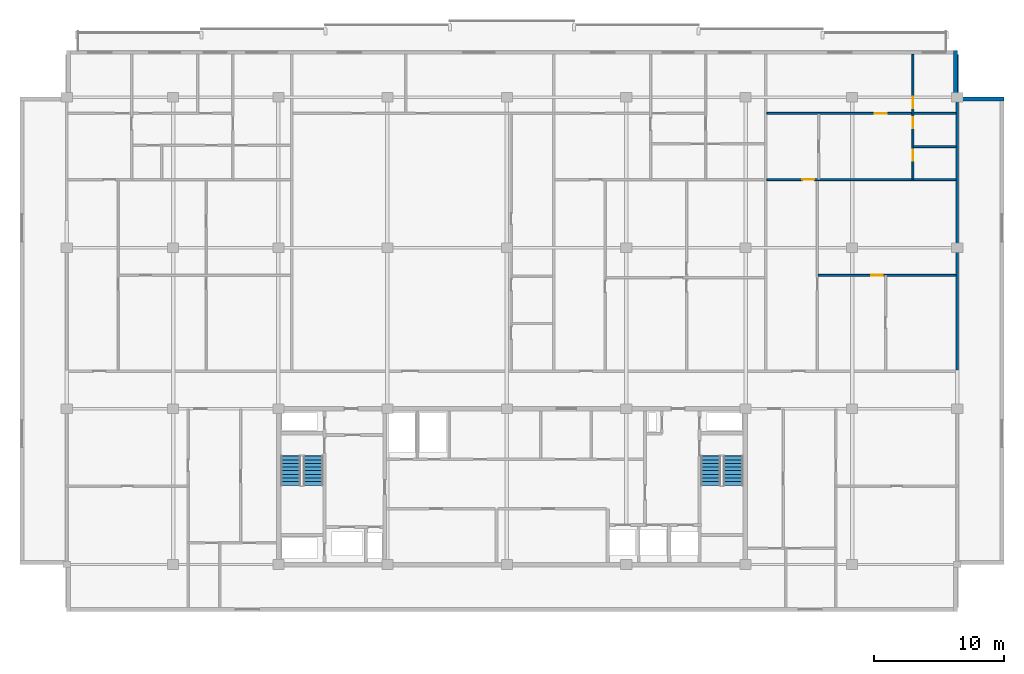
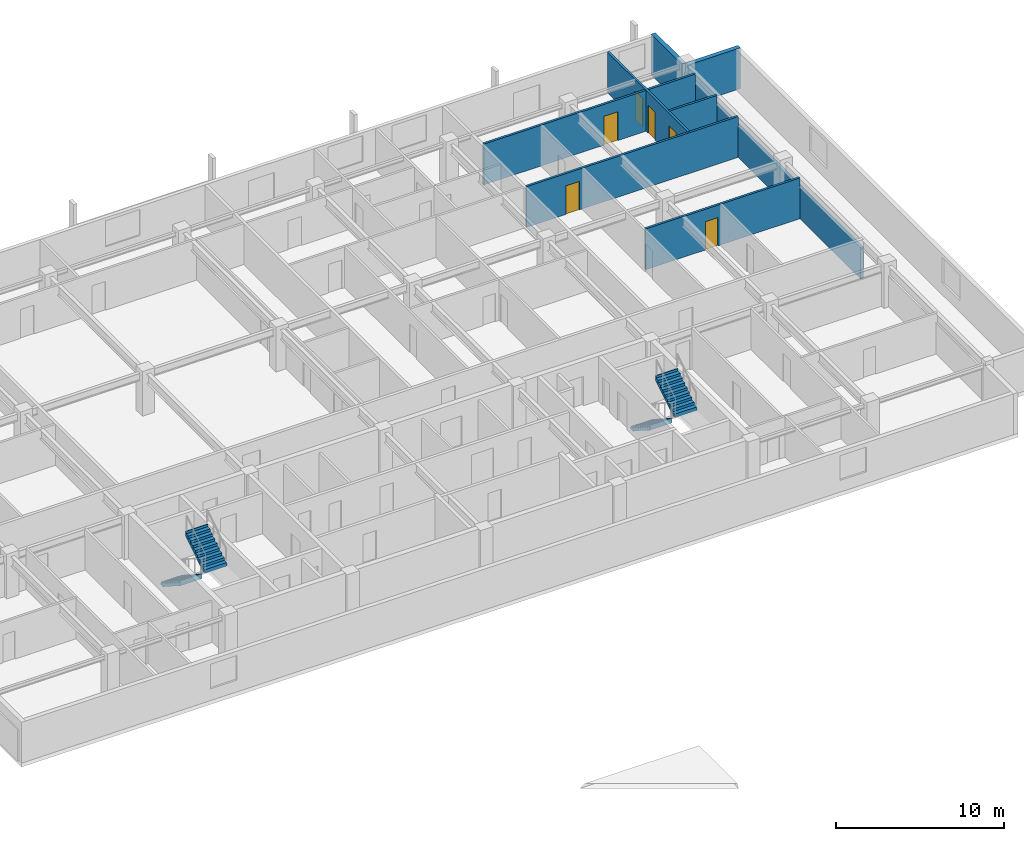
# One storey, part 9 of 11: 8 walls, 6 doors, 4 stair flights, 6 openings, 2 elements without a shape of their own.
"""IFC4 building model written with IfcOpenShell, lengths in metres."""

from ifc_helpers import new_model, si_unit, direction, frame, frame_2d, origin, place, context, subcontext, project, spatial, polyline, rectangle, outline, extrude, material, layer, layer_set, type_object, element, fill, aggregate, save


model = new_model("IFC4")

# Units and contexts
model_context = context("Model", 3, precision=1e-05, world=origin(), true_north=direction((0.0, 1.0)))
body_context = subcontext(model_context, "Body", "Model", "MODEL_VIEW")
ifc_project = project(units=[si_unit("LENGTHUNIT", "METRE"), si_unit("AREAUNIT", "SQUARE_METRE"), si_unit("VOLUMEUNIT", "CUBIC_METRE"), si_unit("PLANEANGLEUNIT", "RADIAN"), si_unit("MASSUNIT", "GRAM", prefix="KILO")], contexts=[model_context])

# Site, building, storey
site_placement = place(None, origin())
site = spatial("IfcSite", under=ifc_project, at=site_placement, CompositionType="ELEMENT")
building_placement = place(site_placement, origin())
building = spatial("IfcBuilding", under=site, at=building_placement, Name="Korimba Cascade Residences", CompositionType="ELEMENT")
storey_placement = place(building_placement, frame((0.0, 0.0, 217.35009765625)))
storey = spatial("IfcBuildingStorey", under=building, at=storey_placement, Name="L63", CompositionType="ELEMENT", Elevation=217.35009765625)

# Walls
ifc_material_1 = material(Name="Precast concrete C40/50", Category="concrete")
ifc_layer_1 = layer(ifc_material_1, 0.300048828125)
ifc_layer_set_1 = layer_set([ifc_layer_1], Name="Precast concrete C40/50")
wall_type_1 = type_object("IfcWallType", Name="EW-STONE-300", PredefinedType="STANDARD", material=ifc_layer_set_1)
for number, where, z_axis, x_axis, name in (
    (1, (132.0, 91.050048828125, 0.0), (0.0, 0.0, 1.0), (-1.0, 0.0, 0.0), "L63 T1 Perimeter Stone Wall E04"),
    (2, (128.25, 91.199951171875, 0.0), (0.0, 0.0, 1.0), (0.0, 1.0, 0.0), "L63 T1 Perimeter Stone Wall E05"),
):
    element("IfcWall", number, at=place(storey_placement, frame(where, z_axis=z_axis, x_axis=x_axis)), inside=storey, type_object=wall_type_1, Name=name, PredefinedType="STANDARD", context=body_context, shape_type="SweptSolid", body=[
        extrude(rectangle(XDim=3.60009765625, YDim=0.300048828125, at=frame_2d((1.800048828125, 0.0))), origin(), (0.0, 0.0, 1.0), 2.969970703125),
    ])
ifc_layer_2 = layer(ifc_material_1, 0.199951171875)
ifc_layer_set_2 = layer_set([ifc_layer_2], Name="Precast concrete C40/50")
wall_type_2 = type_object("IfcWallType", Name="WAL-IT-200", PredefinedType="PARTITIONING", material=ifc_layer_set_2)
wall_1_placement = place(storey_placement, frame((128.39990234375, 70.179931640625, 0.0), z_axis=(0.0, 0.0, 1.0), x_axis=(0.0, 1.0, 0.0)))
element("IfcWall", 3, at=wall_1_placement, inside=storey, type_object=wall_type_2, Name="L63 Partition Wall WAL-L63-T1-BNDWR", PredefinedType="PARTITIONING", context=body_context, shape_type="SweptSolid", body=[
    extrude(rectangle(XDim=24.320068359375, YDim=0.199951171875, at=frame_2d((12.16015625, 0.0))), origin(), (0.0, 0.0, 1.0), 2.277099609375),
])

# Wall, opening, door
ifc_material_2 = material(Name="Insulated Acoustic Stud Partition", Category="gypsum")
ifc_layer_3 = layer(ifc_material_2, 0.14990234375)
ifc_layer_set_3 = layer_set([ifc_layer_3], Name="Insulated Acoustic Stud Partition")
wall_type_3 = type_object("IfcWallType", Name="WAL-PART-150", PredefinedType="PARTITIONING", material=ifc_layer_set_3)
wall_2_placement = place(storey_placement, frame((117.686279296875, 77.485107421875, 0.0), z_axis=(0.0, 0.0, 1.0), x_axis=(1.0, 0.0, 0.0)))
wall_2 = element("IfcWall", 4, at=wall_2_placement, inside=storey, type_object=wall_type_3, Name="L63 Partition Wall WAL-L63-T1-U04-FMH", PredefinedType="PARTITIONING", context=body_context, shape_type="SweptSolid", body=[
    extrude(rectangle(XDim=10.6337890625, YDim=0.14990234375, at=frame_2d((5.31689453125, 0.0))), origin(), (0.0, 0.0, 1.0), 2.969970703125),
])
opening_1_placement = place(wall_2_placement, frame((4.096923828125, 0.0, 0.0)))
opening_1 = element("IfcOpeningElement", 5, at=opening_1_placement, cuts=wall_2, Name="Opening D-IN2", PredefinedType="OPENING", context=body_context, shape_type="SweptSolid", body=[
    extrude(rectangle(XDim=0.8798828125, YDim=2.06005859375, at=frame_2d((0.43994140625, 1.030029296875))), frame((0.0, 0.0849609375, 0.0), z_axis=(0.0, -1.0, 0.0), x_axis=(1.0, 0.0, 0.0)), (0.0, 0.0, 1.0), 0.169921875),
])
ifc_material_3 = material(Name="Acoustic Timber Bedroom Door", Category="wood")
door_type_1 = type_object("IfcDoorType", Name="DR-INT-880", OperationType="NOTDEFINED", PredefinedType="DOOR", material=ifc_material_3)
door_1_placement = place(opening_1_placement, origin())
door_1 = element("IfcDoor", 6, at=door_1_placement, inside=storey, type_object=door_type_1, Name="L63-T1-U04 Library Salon Door", OperationType="SINGLE_SWING_RIGHT", OverallHeight=2.06005859375, OverallWidth=0.8798828125, PredefinedType="DOOR", context=body_context, shape_type="SweptSolid", body=[
    extrude(rectangle(XDim=0.8798828125, YDim=2.06005859375, at=frame_2d((0.43994140625, 1.030029296875))), frame((0.0, 0.02490234375, 0.0), z_axis=(0.0, -1.0, 0.0), x_axis=(1.0, 0.0, 0.0)), (0.0, 0.0, 1.0), 0.050048828125),
])
fill(opening_1, door_1)

# Wall
wall_3_placement = place(storey_placement, frame((125.0400390625, 87.389892578125, 0.0), z_axis=(0.0, 0.0, 1.0), x_axis=(1.0, 0.0, 0.0)))
element("IfcWall", 7, at=wall_3_placement, inside=storey, type_object=wall_type_3, Name="L63 Partition Wall WAL-L63-T1-U04-BLDIV", PredefinedType="PARTITIONING", context=body_context, shape_type="SweptSolid", body=[
    extrude(rectangle(XDim=3.280029296875, YDim=0.14990234375, at=frame_2d((1.64013671875, 0.0))), origin(), (0.0, 0.0, 1.0), 2.969970703125),
])

# Wall, openings, doors
wall_4_placement = place(storey_placement, frame((124.97998046875, 84.889892578125, 0.0), z_axis=(0.0, 0.0, 1.0), x_axis=(0.0, 1.0, 0.0)))
wall_4 = element("IfcWall", 8, at=wall_4_placement, inside=storey, type_object=wall_type_3, Name="L63 Partition Wall WAL-L63-T1-U04-V1", PredefinedType="PARTITIONING", context=body_context, shape_type="SweptSolid", body=[
    extrude(rectangle(XDim=9.610107421875, YDim=0.14990234375, at=frame_2d((4.80517578125, 0.0))), origin(), (0.0, 0.0, 1.0), 2.969970703125),
])
opening_2_placement = place(wall_4_placement, frame((1.430419921875, 0.0, 0.0)))
opening_2 = element("IfcOpeningElement", 9, at=opening_2_placement, cuts=wall_4, Name="Opening D-BT1", PredefinedType="OPENING", context=body_context, shape_type="SweptSolid", body=[
    extrude(rectangle(XDim=0.840087890625, YDim=2.0400390625, at=frame_2d((0.419921875, 1.02001953125))), frame((0.0, 0.0849609375, 0.0), z_axis=(0.0, -1.0, 0.0), x_axis=(1.0, 0.0, 0.0)), (0.0, 0.0, 1.0), 0.169921875),
])
opening_3_placement = place(wall_4_placement, frame((3.919921875, 0.0, 0.0)))
opening_3 = element("IfcOpeningElement", 10, at=opening_3_placement, cuts=wall_4, Name="Opening D-BT1", PredefinedType="OPENING", context=body_context, shape_type="SweptSolid", body=[
    extrude(rectangle(XDim=0.840087890625, YDim=2.0400390625, at=frame_2d((0.419921875, 1.02001953125))), frame((0.0, 0.0849609375, 0.0), z_axis=(0.0, -1.0, 0.0), x_axis=(1.0, 0.0, 0.0)), (0.0, 0.0, 1.0), 0.169921875),
])
opening_4_placement = place(wall_4_placement, frame((5.47998046875, 0.0, 0.0)))
opening_4 = element("IfcOpeningElement", 11, at=opening_4_placement, cuts=wall_4, Name="Opening D-IN2", PredefinedType="OPENING", context=body_context, shape_type="SweptSolid", body=[
    extrude(rectangle(XDim=0.8798828125, YDim=2.06005859375, at=frame_2d((0.43994140625, 1.030029296875))), frame((0.0, 0.0849609375, 0.0), z_axis=(0.0, -1.0, 0.0), x_axis=(1.0, 0.0, 0.0)), (0.0, 0.0, 1.0), 0.169921875),
])
ifc_material_4 = material(Name="Moisture-Resistant Bathroom Timber Door", Category="wood")
door_type_2 = type_object("IfcDoorType", Name="DR-INT-850", OperationType="NOTDEFINED", PredefinedType="DOOR", material=ifc_material_4)
door_2_placement = place(opening_2_placement, origin())
door_2 = element("IfcDoor", 12, at=door_2_placement, inside=storey, type_object=door_type_2, Name="L63-T1-U04 Bathroom Door", OperationType="SINGLE_SWING_LEFT", OverallHeight=2.0400390625, OverallWidth=0.840087890625, PredefinedType="DOOR", context=body_context, shape_type="SweptSolid", body=[
    extrude(rectangle(XDim=0.840087890625, YDim=2.0400390625, at=frame_2d((0.419921875, 1.02001953125))), frame((0.0, 0.02490234375, 0.0), z_axis=(0.0, -1.0, 0.0), x_axis=(1.0, 0.0, 0.0)), (0.0, 0.0, 1.0), 0.050048828125),
])
fill(opening_2, door_2)
door_3_placement = place(opening_3_placement, origin())
door_3 = element("IfcDoor", 13, at=door_3_placement, inside=storey, type_object=door_type_2, Name="L63-T1-U04 Laundry Door", OperationType="SINGLE_SWING_RIGHT", OverallHeight=2.0400390625, OverallWidth=0.840087890625, PredefinedType="DOOR", context=body_context, shape_type="SweptSolid", body=[
    extrude(rectangle(XDim=0.840087890625, YDim=2.0400390625, at=frame_2d((0.419921875, 1.02001953125))), frame((0.0, 0.02490234375, 0.0), z_axis=(0.0, -1.0, 0.0), x_axis=(1.0, 0.0, 0.0)), (0.0, 0.0, 1.0), 0.050048828125),
])
fill(opening_3, door_3)
door_4_placement = place(opening_4_placement, origin())
door_4 = element("IfcDoor", 14, at=door_4_placement, inside=storey, type_object=door_type_1, Name="L63-T1-U04 Bedroom 1 Door", OperationType="SINGLE_SWING_LEFT", OverallHeight=2.06005859375, OverallWidth=0.8798828125, PredefinedType="DOOR", context=body_context, shape_type="SweptSolid", body=[
    extrude(rectangle(XDim=0.8798828125, YDim=2.06005859375, at=frame_2d((0.43994140625, 1.030029296875))), frame((0.0, 0.02490234375, 0.0), z_axis=(0.0, -1.0, 0.0), x_axis=(1.0, 0.0, 0.0)), (0.0, 0.0, 1.0), 0.050048828125),
])
fill(opening_4, door_4)

# Wall, opening, door
wall_5_placement = place(storey_placement, frame((113.736083984375, 84.85009765625, 0.0), z_axis=(0.0, 0.0, 1.0), x_axis=(1.0, 0.0, 0.0)))
wall_5 = element("IfcWall", 15, at=wall_5_placement, inside=storey, type_object=wall_type_3, Name="L63 Partition Wall WAL-L63-T1-U04-MW", PredefinedType="PARTITIONING", context=body_context, shape_type="SweptSolid", body=[
    extrude(rectangle(XDim=14.583984375, YDim=0.14990234375, at=frame_2d((7.2919921875, 0.0))), origin(), (0.0, 0.0, 1.0), 2.969970703125),
])
opening_5_placement = place(wall_5_placement, frame((2.719970703125, 0.0, 0.0)))
opening_5 = element("IfcOpeningElement", 16, at=opening_5_placement, cuts=wall_5, Name="Opening D-IN1", PredefinedType="OPENING", context=body_context, shape_type="SweptSolid", body=[
    extrude(rectangle(XDim=0.919921875, YDim=2.080078125, at=frame_2d((0.4599609375, 1.0400390625))), frame((0.0, 0.0849609375, 0.0), z_axis=(0.0, -1.0, 0.0), x_axis=(1.0, 0.0, 0.0)), (0.0, 0.0, 1.0), 0.169921875),
])
ifc_material_5 = material(Name="Acoustic Timber Living Door", Category="wood")
door_type_3 = type_object("IfcDoorType", Name="DR-INT-920", OperationType="NOTDEFINED", PredefinedType="DOOR", material=ifc_material_5)
door_5_placement = place(opening_5_placement, origin())
door_5 = element("IfcDoor", 17, at=door_5_placement, inside=storey, type_object=door_type_3, Name="L63-T1-U04 Kitchen Archway Door", OperationType="SINGLE_SWING_RIGHT", OverallHeight=2.080078125, OverallWidth=0.919921875, PredefinedType="DOOR", context=body_context, shape_type="SweptSolid", body=[
    extrude(rectangle(XDim=0.919921875, YDim=2.080078125, at=frame_2d((0.4599609375, 1.0400390625))), frame((0.0, 0.02490234375, 0.0), z_axis=(0.0, -1.0, 0.0), x_axis=(1.0, 0.0, 0.0)), (0.0, 0.0, 1.0), 0.050048828125),
])
fill(opening_5, door_5)

wall_6_placement = place(storey_placement, frame((113.736083984375, 89.949951171875, 0.0), z_axis=(0.0, 0.0, 1.0), x_axis=(1.0, 0.0, 0.0)))
wall_6 = element("IfcWall", 18, at=wall_6_placement, inside=storey, type_object=wall_type_3, Name="L63 Partition Wall WAL-L63-T1-U04-HZ", PredefinedType="PARTITIONING", context=body_context, shape_type="SweptSolid", body=[
    extrude(rectangle(XDim=14.583984375, YDim=0.14990234375, at=frame_2d((7.2919921875, 0.0))), origin(), (0.0, 0.0, 1.0), 2.969970703125),
])
opening_6_placement = place(wall_6_placement, frame((8.2890625, 0.0, 0.0)))
opening_6 = element("IfcOpeningElement", 19, at=opening_6_placement, cuts=wall_6, Name="Opening D-IN0", PredefinedType="OPENING", context=body_context, shape_type="SweptSolid", body=[
    extrude(rectangle(XDim=0.93994140625, YDim=2.10009765625, at=frame_2d((0.469970703125, 1.050048828125))), frame((0.0, 0.0849609375, 0.0), z_axis=(0.0, -1.0, 0.0), x_axis=(1.0, 0.0, 0.0)), (0.0, 0.0, 1.0), 0.169921875),
])
ifc_material_6 = material(Name="Acoustic Timber Living Archway Door", Category="wood")
door_type_4 = type_object("IfcDoorType", Name="DR-INT-950", OperationType="NOTDEFINED", PredefinedType="DOOR", material=ifc_material_6)
door_6_placement = place(opening_6_placement, origin())
door_6 = element("IfcDoor", 20, at=door_6_placement, inside=storey, type_object=door_type_4, Name="L63-T1-U04 Living Archway Door", OperationType="SINGLE_SWING_LEFT", OverallHeight=2.10009765625, OverallWidth=0.93994140625, PredefinedType="DOOR", context=body_context, shape_type="SweptSolid", body=[
    extrude(rectangle(XDim=0.93994140625, YDim=2.10009765625, at=frame_2d((0.469970703125, 1.050048828125))), frame((0.0, 0.02490234375, 0.0), z_axis=(0.0, -1.0, 0.0), x_axis=(1.0, 0.0, 0.0)), (0.0, 0.0, 1.0), 0.050048828125),
])
fill(opening_6, door_6)

# Stair, stair flights
ifc_material_7 = material(Name="Concrete C50/60", Category="concrete")
stair_type_1 = type_object("IfcStairType", Name="STR-W1-18R-1806", PredefinedType="HALF_TURN_STAIR", material=ifc_material_7)
stair_1_placement = place(storey_placement, origin())
stair_1 = element("IfcStair", 21, at=stair_1_placement, inside=storey, type_object=stair_type_1, Name="L63 Tower 1 West Fire Stair ST-W1", PredefinedType="HALF_TURN_STAIR")
stair_flight_type = type_object("IfcStairFlightType", Name="STF-DL-18R-1806-1520", PredefinedType="STRAIGHT", material=ifc_material_7)
stair_flight_1_placement = place(storey_placement, frame((77.06005859375, 63.550048828125, 0.0), z_axis=(0.0, 0.0, 1.0), x_axis=(0.0, -1.0, 0.0)))
stair_flight_1 = element("IfcStairFlight", 22, at=stair_flight_1_placement, type_object=stair_flight_type, Name="ST-W1 flight 1", NumberOfRisers=9, NumberOfTreads=8, PredefinedType="STRAIGHT", RiserHeight=0.180555556, TreadLength=0.28, context=body_context, shape_type="SweptSolid", body=[
    extrude(outline(polyline([(-0.0380859375, 0.0), (0.0, 0.1806640625), (0.280029296875, 0.1806640625), (0.280029296875, 0.361083984375), (0.56005859375, 0.361083984375), (0.56005859375, 0.541748046875), (0.840087890625, 0.541748046875), (0.840087890625, 0.72216796875), (1.1201171875, 0.72216796875), (1.1201171875, 0.90283203125), (1.39990234375, 0.90283203125), (1.39990234375, 1.083251953125), (1.679931640625, 1.083251953125), (1.679931640625, 1.263916015625), (1.9599609375, 1.263916015625), (1.9599609375, 1.4443359375), (2.239990234375, 1.4443359375), (2.239990234375, 1.625), (2.278076171875, 1.625), (2.278076171875, 1.26611328125), (0.276611328125, 0.0), (0.276611328125, -0.0380859375), (-0.0380859375, -0.0380859375), (-0.0380859375, 0.0)])), frame((0.0, 0.760009765625, 0.0), z_axis=(0.0, -1.0, 0.0), x_axis=(1.0, 0.0, 0.0)), (0.0, 0.0, 1.0), 1.52001953125),
])
stair_flight_2_placement = place(storey_placement, frame((78.780029296875, 61.31005859375, 1.625), z_axis=(0.0, 0.0, 1.0), x_axis=(0.0, 1.0, 0.0)))
stair_flight_2 = element("IfcStairFlight", 23, at=stair_flight_2_placement, type_object=stair_flight_type, Name="ST-W1 flight 2", NumberOfRisers=9, NumberOfTreads=8, PredefinedType="STRAIGHT", RiserHeight=0.180555556, TreadLength=0.28, context=body_context, shape_type="SweptSolid", body=[
    extrude(outline(polyline([(-0.0380859375, 0.0), (0.0, 0.1806640625), (0.280029296875, 0.1806640625), (0.280029296875, 0.361083984375), (0.56005859375, 0.361083984375), (0.56005859375, 0.541748046875), (0.840087890625, 0.541748046875), (0.840087890625, 0.72216796875), (1.1201171875, 0.72216796875), (1.1201171875, 0.90283203125), (1.39990234375, 0.90283203125), (1.39990234375, 1.083251953125), (1.679931640625, 1.083251953125), (1.679931640625, 1.263916015625), (1.9599609375, 1.263916015625), (1.9599609375, 1.4443359375), (2.239990234375, 1.4443359375), (2.239990234375, 1.625), (2.278076171875, 1.625), (2.278076171875, 1.26611328125), (0.276611328125, 0.0), (0.276611328125, -0.0380859375), (-0.0380859375, -0.0380859375), (-0.0380859375, 0.0)])), frame((0.0, 0.760009765625, 0.0), z_axis=(0.0, -1.0, 0.0), x_axis=(1.0, 0.0, 0.0)), (0.0, 0.0, 1.0), 1.52001953125),
])
aggregate(stair_1, [stair_flight_1, stair_flight_2])

stair_type_2 = type_object("IfcStairType", Name="STR-W2-18R-1806", PredefinedType="HALF_TURN_STAIR", material=ifc_material_7)
stair_2_placement = place(storey_placement, origin())
stair_2 = element("IfcStair", 24, at=stair_2_placement, inside=storey, type_object=stair_type_2, Name="L63 Tower 1 East Fire Stair ST-W2", PredefinedType="HALF_TURN_STAIR")
stair_flight_3_placement = place(storey_placement, frame((109.419921875, 63.550048828125, 0.0), z_axis=(0.0, 0.0, 1.0), x_axis=(0.0, -1.0, 0.0)))
stair_flight_3 = element("IfcStairFlight", 25, at=stair_flight_3_placement, type_object=stair_flight_type, Name="ST-W2 flight 1", NumberOfRisers=9, NumberOfTreads=8, PredefinedType="STRAIGHT", RiserHeight=0.180555556, TreadLength=0.28, context=body_context, shape_type="SweptSolid", body=[
    extrude(outline(polyline([(-0.0380859375, 0.0), (0.0, 0.1806640625), (0.280029296875, 0.1806640625), (0.280029296875, 0.361083984375), (0.56005859375, 0.361083984375), (0.56005859375, 0.541748046875), (0.840087890625, 0.541748046875), (0.840087890625, 0.72216796875), (1.1201171875, 0.72216796875), (1.1201171875, 0.90283203125), (1.39990234375, 0.90283203125), (1.39990234375, 1.083251953125), (1.679931640625, 1.083251953125), (1.679931640625, 1.263916015625), (1.9599609375, 1.263916015625), (1.9599609375, 1.4443359375), (2.239990234375, 1.4443359375), (2.239990234375, 1.625), (2.278076171875, 1.625), (2.278076171875, 1.26611328125), (0.276611328125, 0.0), (0.276611328125, -0.0380859375), (-0.0380859375, -0.0380859375), (-0.0380859375, 0.0)])), frame((0.0, 0.760009765625, 0.0), z_axis=(0.0, -1.0, 0.0), x_axis=(1.0, 0.0, 0.0)), (0.0, 0.0, 1.0), 1.52001953125),
])
stair_flight_4_placement = place(storey_placement, frame((111.139892578125, 61.31005859375, 1.625), z_axis=(0.0, 0.0, 1.0), x_axis=(0.0, 1.0, 0.0)))
stair_flight_4 = element("IfcStairFlight", 26, at=stair_flight_4_placement, type_object=stair_flight_type, Name="ST-W2 flight 2", NumberOfRisers=9, NumberOfTreads=8, PredefinedType="STRAIGHT", RiserHeight=0.180555556, TreadLength=0.28, context=body_context, shape_type="SweptSolid", body=[
    extrude(outline(polyline([(-0.0380859375, 0.0), (0.0, 0.1806640625), (0.280029296875, 0.1806640625), (0.280029296875, 0.361083984375), (0.56005859375, 0.361083984375), (0.56005859375, 0.541748046875), (0.840087890625, 0.541748046875), (0.840087890625, 0.72216796875), (1.1201171875, 0.72216796875), (1.1201171875, 0.90283203125), (1.39990234375, 0.90283203125), (1.39990234375, 1.083251953125), (1.679931640625, 1.083251953125), (1.679931640625, 1.263916015625), (1.9599609375, 1.263916015625), (1.9599609375, 1.4443359375), (2.239990234375, 1.4443359375), (2.239990234375, 1.625), (2.278076171875, 1.625), (2.278076171875, 1.26611328125), (0.276611328125, 0.0), (0.276611328125, -0.0380859375), (-0.0380859375, -0.0380859375), (-0.0380859375, 0.0)])), frame((0.0, 0.760009765625, 0.0), z_axis=(0.0, -1.0, 0.0), x_axis=(1.0, 0.0, 0.0)), (0.0, 0.0, 1.0), 1.52001953125),
])
aggregate(stair_2, [stair_flight_3, stair_flight_4])

save(model, "model.ifc")
